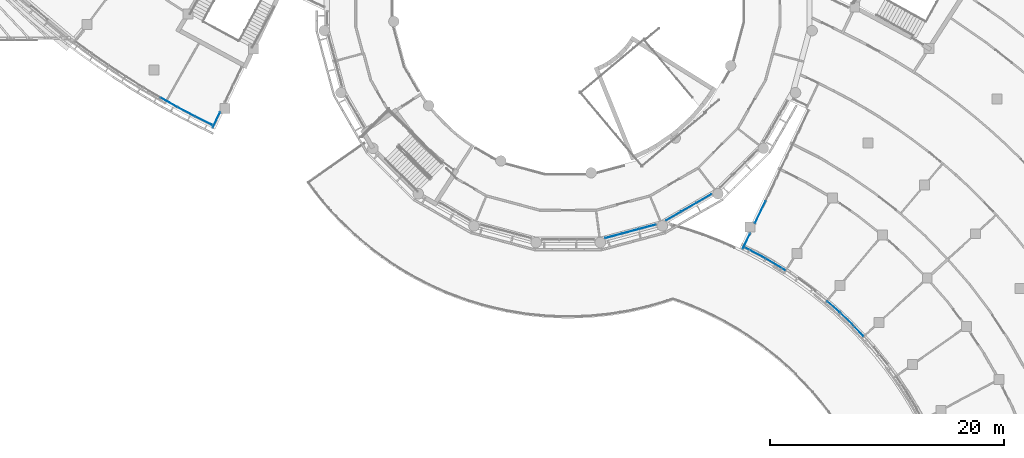
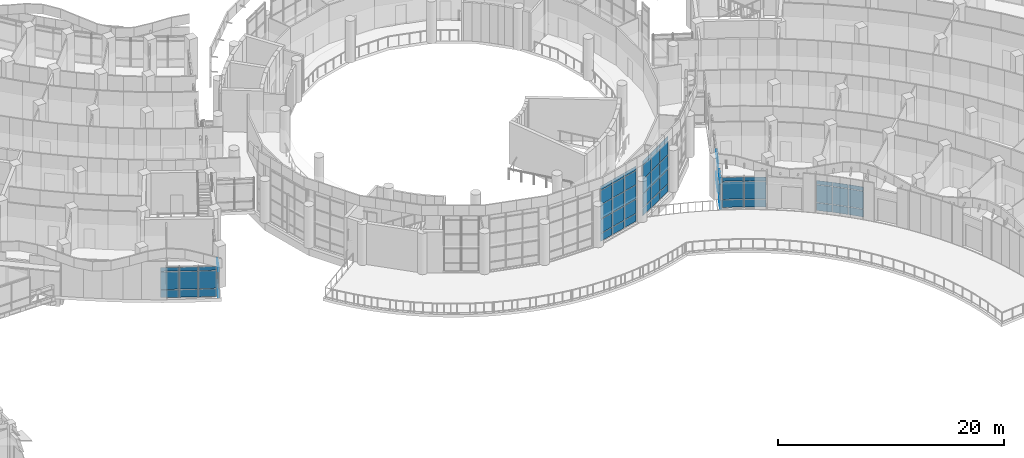
# One storey, part 42 of 136: 63 plates, 8 elements without a shape of their own.
"""IFC4 building model written with IfcOpenShell, lengths in metres."""

from ifc_helpers import new_model, si_unit, direction, frame, origin, origin_2d, place, context, subcontext, project, spatial, rectangle, extrude, material, layer, layer_set, type_object, element, aggregate, save


model = new_model("IFC4")

# Units and contexts
model_context = context("Model", 3, precision=1e-05, world=origin(), true_north=direction((0.0, 1.0)))
body_context = subcontext(model_context, "Body", "Model", "MODEL_VIEW")
ifc_project = project(units=[si_unit("LENGTHUNIT", "METRE"), si_unit("AREAUNIT", "SQUARE_METRE"), si_unit("VOLUMEUNIT", "CUBIC_METRE"), si_unit("PLANEANGLEUNIT", "RADIAN"), si_unit("MASSUNIT", "GRAM", prefix="KILO")], contexts=[model_context])

# Site, building, storey
site_placement = place(None, origin())
site = spatial("IfcSite", under=ifc_project, at=site_placement, CompositionType="ELEMENT")
building_placement = place(site_placement, origin())
building = spatial("IfcBuilding", under=site, at=building_placement, Name="Bougainvillea Quay General Hospital", CompositionType="ELEMENT")
storey_placement = place(building_placement, frame((0.0, 0.0, 5.39990234375)))
storey = spatial("IfcBuildingStorey", under=building, at=storey_placement, Name="L01", CompositionType="ELEMENT", Elevation=5.39990234375)

# Curtain wall, plates
ifc_material_1 = material(Name="Aluminium curtain wall system, powder-coated glazed", Category="aluminium")
curtain_wall_type_1 = type_object("IfcCurtainWallType", Name="Unitised curtain wall CW-2100", PredefinedType="NOTDEFINED", material=ifc_material_1)
curtain_wall_1_placement = place(storey_placement, origin())
curtain_wall_1 = element("IfcCurtainWall", 1, at=curtain_wall_1_placement, inside=storey, type_object=curtain_wall_type_1, Name="CW-W01 a01b0", PredefinedType="NOTDEFINED")
ifc_material_2 = material(Name="Insulated aluminium spandrel panel, white", Category="aluminium")
ifc_layer_1 = layer(ifc_material_2, 0.028076171875)
ifc_layer_set_1 = layer_set([ifc_layer_1], Name="Insulated aluminium spandrel panel, white")
plate_type_1 = type_object("IfcPlateType", Name="Insulated spandrel panel white 28", PredefinedType="CURTAIN_PANEL", material=ifc_layer_set_1)
plate_1_placement = place(storey_placement, frame((78.09912109375, 63.573486328125, 0.06005859375), z_axis=(0.0, 0.0, 1.0), x_axis=(-0.895166761772, 0.445731386172, 0.0)))
plate_1 = element("IfcPlate", 2, at=plate_1_placement, type_object=plate_type_1, Name="CW-W01 spandrel panel 1.1", PredefinedType="CURTAIN_PANEL", context=body_context, shape_type="SweptSolid", body=[
    extrude(rectangle(XDim=1.593994140625, YDim=0.028076171875, at=origin_2d()), origin(), (0.0, 0.0, 1.0), 0.81005859375),
])
plate_2_placement = place(storey_placement, frame((78.09912109375, 63.573486328125, 2.88037109375), z_axis=(0.0, 0.0, 1.0), x_axis=(-0.895166761772, 0.445731386172, 0.0)))
plate_2 = element("IfcPlate", 3, at=plate_2_placement, type_object=plate_type_1, Name="CW-W01 spandrel panel 1.3", PredefinedType="CURTAIN_PANEL", context=body_context, shape_type="SweptSolid", body=[
    extrude(rectangle(XDim=1.593994140625, YDim=0.028076171875, at=origin_2d()), origin(), (0.0, 0.0, 1.0), 0.409912109375),
])
plate_3_placement = place(storey_placement, frame((76.6142578125, 64.33544921875, 0.06005859375), z_axis=(0.0, 0.0, 1.0), x_axis=(-0.88414485514, 0.467212879884, 0.0)))
plate_3 = element("IfcPlate", 4, at=plate_3_placement, type_object=plate_type_1, Name="CW-W01 spandrel panel 2.1", PredefinedType="CURTAIN_PANEL", context=body_context, shape_type="SweptSolid", body=[
    extrude(rectangle(XDim=1.6240234375, YDim=0.028076171875, at=origin_2d()), origin(), (0.0, 0.0, 1.0), 0.81005859375),
])
plate_4_placement = place(storey_placement, frame((76.6142578125, 64.33544921875, 2.88037109375), z_axis=(0.0, 0.0, 1.0), x_axis=(-0.88414485514, 0.467212879884, 0.0)))
plate_4 = element("IfcPlate", 5, at=plate_4_placement, type_object=plate_type_1, Name="CW-W01 spandrel panel 2.3", PredefinedType="CURTAIN_PANEL", context=body_context, shape_type="SweptSolid", body=[
    extrude(rectangle(XDim=1.6240234375, YDim=0.028076171875, at=origin_2d()), origin(), (0.0, 0.0, 1.0), 0.409912109375),
])
plate_5_placement = place(storey_placement, frame((75.135009765625, 65.14013671875, 0.06005859375), z_axis=(0.0, 0.0, 1.0), x_axis=(-0.872607547761, 0.488422017922, 0.0)))
plate_5 = element("IfcPlate", 6, at=plate_5_placement, type_object=plate_type_1, Name="CW-W01 spandrel panel 3.1", PredefinedType="CURTAIN_PANEL", context=body_context, shape_type="SweptSolid", body=[
    extrude(rectangle(XDim=1.6240234375, YDim=0.028076171875, at=origin_2d()), origin(), (0.0, 0.0, 1.0), 0.81005859375),
])
plate_6_placement = place(storey_placement, frame((75.135009765625, 65.14013671875, 2.88037109375), z_axis=(0.0, 0.0, 1.0), x_axis=(-0.872607547761, 0.488422017922, 0.0)))
plate_6 = element("IfcPlate", 7, at=plate_6_placement, type_object=plate_type_1, Name="CW-W01 spandrel panel 3.3", PredefinedType="CURTAIN_PANEL", context=body_context, shape_type="SweptSolid", body=[
    extrude(rectangle(XDim=1.6240234375, YDim=0.028076171875, at=origin_2d()), origin(), (0.0, 0.0, 1.0), 0.409912109375),
])

curtain_wall_type_2 = type_object("IfcCurtainWallType", Name="Unitised curtain wall CW-1555", PredefinedType="NOTDEFINED", material=ifc_material_1)
curtain_wall_2_placement = place(storey_placement, origin())
curtain_wall_2 = element("IfcCurtainWall", 8, at=curtain_wall_2_placement, inside=storey, type_object=curtain_wall_type_2, Name="CW-AE 00", PredefinedType="NOTDEFINED")
plate_7_placement = place(storey_placement, frame((79.173095703125, 63.62841796875, 0.06005859375), z_axis=(0.0, 0.0, 1.0), x_axis=(0.430530445105, 0.902576055431, 0.0)))
plate_7 = element("IfcPlate", 9, at=plate_7_placement, type_object=plate_type_1, Name="CW-AE spandrel panel 1.1", PredefinedType="CURTAIN_PANEL", context=body_context, shape_type="SweptSolid", body=[
    extrude(rectangle(XDim=1.434814453125, YDim=0.028076171875, at=origin_2d()), origin(), (0.0, 0.0, 1.0), 0.81005859375),
])
plate_8_placement = place(storey_placement, frame((79.173095703125, 63.62841796875, 2.88037109375), z_axis=(0.0, 0.0, 1.0), x_axis=(0.430530445105, 0.902576055431, 0.0)))
plate_8 = element("IfcPlate", 10, at=plate_8_placement, type_object=plate_type_1, Name="CW-AE spandrel panel 1.3", PredefinedType="CURTAIN_PANEL", context=body_context, shape_type="SweptSolid", body=[
    extrude(rectangle(XDim=1.434814453125, YDim=0.028076171875, at=origin_2d()), origin(), (0.0, 0.0, 1.0), 0.409912109375),
])

curtain_wall_type_3 = type_object("IfcCurtainWallType", Name="Unitised curtain wall CW-2152", PredefinedType="NOTDEFINED", material=ifc_material_1)
curtain_wall_3_placement = place(storey_placement, origin())
curtain_wall_3 = element("IfcCurtainWall", 11, at=curtain_wall_3_placement, inside=storey, type_object=curtain_wall_type_3, Name="CW-AE 00", PredefinedType="NOTDEFINED")
plate_9_placement = place(storey_placement, frame((125.584716796875, 55.771240234375, 0.06005859375), z_axis=(0.0, 0.0, 1.0), x_axis=(-0.430530445105, -0.902576055431, 0.0)))
plate_9 = element("IfcPlate", 12, at=plate_9_placement, type_object=plate_type_1, Name="CW-AE spandrel panel 5.1", PredefinedType="CURTAIN_PANEL", context=body_context, shape_type="SweptSolid", body=[
    extrude(rectangle(XDim=2.06103515625, YDim=0.028076171875, at=origin_2d()), origin(), (0.0, 0.0, 1.0), 0.81005859375),
])
plate_10_placement = place(storey_placement, frame((125.584716796875, 55.771240234375, 2.88037109375), z_axis=(0.0, 0.0, 1.0), x_axis=(-0.430530445105, -0.902576055431, 0.0)))
plate_10 = element("IfcPlate", 13, at=plate_10_placement, type_object=plate_type_1, Name="CW-AE spandrel panel 5.3", PredefinedType="CURTAIN_PANEL", context=body_context, shape_type="SweptSolid", body=[
    extrude(rectangle(XDim=2.06103515625, YDim=0.028076171875, at=origin_2d()), origin(), (0.0, 0.0, 1.0), 0.409912109375),
])

curtain_wall_4_placement = place(storey_placement, origin())
curtain_wall_4 = element("IfcCurtainWall", 14, at=curtain_wall_4_placement, inside=storey, type_object=curtain_wall_type_2, Name="CW-AE 01", PredefinedType="NOTDEFINED")
plate_11_placement = place(storey_placement, frame((124.3974609375, 53.281982421875, 0.06005859375), z_axis=(0.0, 0.0, 1.0), x_axis=(-0.430530445105, -0.902576055431, 0.0)))
plate_11 = element("IfcPlate", 15, at=plate_11_placement, type_object=plate_type_1, Name="CW-AE spandrel panel 1.1", PredefinedType="CURTAIN_PANEL", context=body_context, shape_type="SweptSolid", body=[
    extrude(rectangle(XDim=1.434814453125, YDim=0.028076171875, at=origin_2d()), origin(), (0.0, 0.0, 1.0), 0.81005859375),
])
plate_12_placement = place(storey_placement, frame((124.3974609375, 53.281982421875, 2.88037109375), z_axis=(0.0, 0.0, 1.0), x_axis=(-0.430530445105, -0.902576055431, 0.0)))
plate_12 = element("IfcPlate", 16, at=plate_12_placement, type_object=plate_type_1, Name="CW-AE spandrel panel 1.3", PredefinedType="CURTAIN_PANEL", context=body_context, shape_type="SweptSolid", body=[
    extrude(rectangle(XDim=1.434814453125, YDim=0.028076171875, at=origin_2d()), origin(), (0.0, 0.0, 1.0), 0.409912109375),
])

curtain_wall_5_placement = place(storey_placement, origin())
curtain_wall_5 = element("IfcCurtainWall", 17, at=curtain_wall_5_placement, inside=storey, type_object=curtain_wall_type_1, Name="CW-E01 a21b0", PredefinedType="NOTDEFINED")
plate_13_placement = place(storey_placement, frame((125.157470703125, 52.28857421875, 0.06005859375), z_axis=(0.0, 0.0, 1.0), x_axis=(0.884928841116, -0.46572625668, 0.0)))
plate_13 = element("IfcPlate", 18, at=plate_13_placement, type_object=plate_type_1, Name="CW-E01 spandrel panel 1.1", PredefinedType="CURTAIN_PANEL", context=body_context, shape_type="SweptSolid", body=[
    extrude(rectangle(XDim=1.924072265625, YDim=0.028076171875, at=origin_2d()), origin(), (0.0, 0.0, 1.0), 0.81005859375),
])
plate_14_placement = place(storey_placement, frame((125.157470703125, 52.28857421875, 2.88037109375), z_axis=(0.0, 0.0, 1.0), x_axis=(0.884928841116, -0.46572625668, 0.0)))
plate_14 = element("IfcPlate", 19, at=plate_14_placement, type_object=plate_type_1, Name="CW-E01 spandrel panel 1.3", PredefinedType="CURTAIN_PANEL", context=body_context, shape_type="SweptSolid", body=[
    extrude(rectangle(XDim=1.924072265625, YDim=0.028076171875, at=origin_2d()), origin(), (0.0, 0.0, 1.0), 0.409912109375),
])
plate_15_placement = place(storey_placement, frame((126.884521484375, 51.313720703125, 0.06005859375), z_axis=(0.0, 0.0, 1.0), x_axis=(0.856022874409, -0.516937944525, 0.0)))
plate_15 = element("IfcPlate", 20, at=plate_15_placement, type_object=plate_type_1, Name="CW-E01 spandrel panel 2.1", PredefinedType="CURTAIN_PANEL", context=body_context, shape_type="SweptSolid", body=[
    extrude(rectangle(XDim=1.924072265625, YDim=0.028076171875, at=origin_2d()), origin(), (0.0, 0.0, 1.0), 0.81005859375),
])
plate_16_placement = place(storey_placement, frame((126.884521484375, 51.313720703125, 2.88037109375), z_axis=(0.0, 0.0, 1.0), x_axis=(0.856022874409, -0.516937944525, 0.0)))
plate_16 = element("IfcPlate", 21, at=plate_16_placement, type_object=plate_type_1, Name="CW-E01 spandrel panel 2.3", PredefinedType="CURTAIN_PANEL", context=body_context, shape_type="SweptSolid", body=[
    extrude(rectangle(XDim=1.924072265625, YDim=0.028076171875, at=origin_2d()), origin(), (0.0, 0.0, 1.0), 0.409912109375),
])

curtain_wall_6_placement = place(storey_placement, origin())
curtain_wall_6 = element("IfcCurtainWall", 22, at=curtain_wall_6_placement, inside=storey, type_object=curtain_wall_type_1, Name="CW-E03 a21b2", PredefinedType="NOTDEFINED")
plate_17_placement = place(storey_placement, frame((131.830322265625, 47.6982421875, 0.06005859375), z_axis=(0.0, 0.0, 1.0), x_axis=(0.750772439283, -0.660560931643, 0.0)))
plate_17 = element("IfcPlate", 23, at=plate_17_placement, type_object=plate_type_1, Name="CW-E03 spandrel panel 1.1", PredefinedType="CURTAIN_PANEL", context=body_context, shape_type="SweptSolid", body=[
    extrude(rectangle(XDim=1.366943359375, YDim=0.028076171875, at=origin_2d()), origin(), (0.0, 0.0, 1.0), 0.81005859375),
])
plate_18_placement = place(storey_placement, frame((131.830322265625, 47.6982421875, 2.88037109375), z_axis=(0.0, 0.0, 1.0), x_axis=(0.750772439283, -0.660560931643, 0.0)))
plate_18 = element("IfcPlate", 24, at=plate_18_placement, type_object=plate_type_1, Name="CW-E03 spandrel panel 1.3", PredefinedType="CURTAIN_PANEL", context=body_context, shape_type="SweptSolid", body=[
    extrude(rectangle(XDim=1.366943359375, YDim=0.028076171875, at=origin_2d()), origin(), (0.0, 0.0, 1.0), 0.409912109375),
])
plate_19_placement = place(storey_placement, frame((132.891845703125, 46.722900390625, 0.06005859375), z_axis=(0.0, 0.0, 1.0), x_axis=(0.722001787667, -0.69189118986, 0.0)))
plate_19 = element("IfcPlate", 25, at=plate_19_placement, type_object=plate_type_1, Name="CW-E03 spandrel panel 2.1", PredefinedType="CURTAIN_PANEL", context=body_context, shape_type="SweptSolid", body=[
    extrude(rectangle(XDim=1.39697265625, YDim=0.028076171875, at=origin_2d()), origin(), (0.0, 0.0, 1.0), 0.81005859375),
])
plate_20_placement = place(storey_placement, frame((132.891845703125, 46.722900390625, 2.88037109375), z_axis=(0.0, 0.0, 1.0), x_axis=(0.722001787667, -0.69189118986, 0.0)))
plate_20 = element("IfcPlate", 26, at=plate_20_placement, type_object=plate_type_1, Name="CW-E03 spandrel panel 2.3", PredefinedType="CURTAIN_PANEL", context=body_context, shape_type="SweptSolid", body=[
    extrude(rectangle(XDim=1.39697265625, YDim=0.028076171875, at=origin_2d()), origin(), (0.0, 0.0, 1.0), 0.409912109375),
])
plate_21_placement = place(storey_placement, frame((133.911376953125, 45.703857421875, 0.06005859375), z_axis=(0.0, 0.0, 1.0), x_axis=(0.691924792604, -0.721969584803, 0.0)))
plate_21 = element("IfcPlate", 27, at=plate_21_placement, type_object=plate_type_1, Name="CW-E03 spandrel panel 3.1", PredefinedType="CURTAIN_PANEL", context=body_context, shape_type="SweptSolid", body=[
    extrude(rectangle(XDim=1.366943359375, YDim=0.028076171875, at=origin_2d()), origin(), (0.0, 0.0, 1.0), 0.81005859375),
])
plate_22_placement = place(storey_placement, frame((133.911376953125, 45.703857421875, 2.88037109375), z_axis=(0.0, 0.0, 1.0), x_axis=(0.691924792604, -0.721969584803, 0.0)))
plate_22 = element("IfcPlate", 28, at=plate_22_placement, type_object=plate_type_1, Name="CW-E03 spandrel panel 3.3", PredefinedType="CURTAIN_PANEL", context=body_context, shape_type="SweptSolid", body=[
    extrude(rectangle(XDim=1.366943359375, YDim=0.028076171875, at=origin_2d()), origin(), (0.0, 0.0, 1.0), 0.409912109375),
])

curtain_wall_type_4 = type_object("IfcCurtainWallType", Name="Unitised curtain wall CW-1514", PredefinedType="NOTDEFINED", material=ifc_material_1)
curtain_wall_7_placement = place(storey_placement, origin())
curtain_wall_7 = element("IfcCurtainWall", 29, at=curtain_wall_7_placement, inside=storey, type_object=curtain_wall_type_4, Name="CW-D 00", PredefinedType="NOTDEFINED")
plate_23_placement = place(storey_placement, frame((113.075927734375, 53.742919921875, 0.06005859375), z_axis=(0.0, 0.0, 1.0), x_axis=(0.965916292974, 0.258854621298, 0.0)))
plate_23 = element("IfcPlate", 30, at=plate_23_placement, type_object=plate_type_1, Name="CW-D spandrel panel 1.1", PredefinedType="CURTAIN_PANEL", context=body_context, shape_type="SweptSolid", body=[
    extrude(rectangle(XDim=1.423828125, YDim=0.028076171875, at=origin_2d()), origin(), (0.0, 0.0, 1.0), 0.81005859375),
])
plate_24_placement = place(storey_placement, frame((113.075927734375, 53.742919921875, 5.580078125), z_axis=(0.0, 0.0, 1.0), x_axis=(0.965916292974, 0.258854621298, 0.0)))
plate_24 = element("IfcPlate", 31, at=plate_24_placement, type_object=plate_type_1, Name="CW-D spandrel panel 1.5", PredefinedType="CURTAIN_PANEL", context=body_context, shape_type="SweptSolid", body=[
    extrude(rectangle(XDim=1.423828125, YDim=0.028076171875, at=origin_2d()), origin(), (0.0, 0.0, 1.0), 0.409912109375),
])
plate_25_placement = place(storey_placement, frame((114.523681640625, 54.130859375, 0.06005859375), z_axis=(0.0, 0.0, 1.0), x_axis=(0.965916292974, 0.258854621298, 0.0)))
plate_25 = element("IfcPlate", 32, at=plate_25_placement, type_object=plate_type_1, Name="CW-D spandrel panel 2.1", PredefinedType="CURTAIN_PANEL", context=body_context, shape_type="SweptSolid", body=[
    extrude(rectangle(XDim=1.453857421875, YDim=0.028076171875, at=origin_2d()), origin(), (0.0, 0.0, 1.0), 0.81005859375),
])
plate_26_placement = place(storey_placement, frame((114.523681640625, 54.130859375, 5.580078125), z_axis=(0.0, 0.0, 1.0), x_axis=(0.965916292974, 0.258854621298, 0.0)))
plate_26 = element("IfcPlate", 33, at=plate_26_placement, type_object=plate_type_1, Name="CW-D spandrel panel 2.5", PredefinedType="CURTAIN_PANEL", context=body_context, shape_type="SweptSolid", body=[
    extrude(rectangle(XDim=1.453857421875, YDim=0.028076171875, at=origin_2d()), origin(), (0.0, 0.0, 1.0), 0.409912109375),
])
plate_27_placement = place(storey_placement, frame((115.9716796875, 54.51904296875, 0.06005859375), z_axis=(0.0, 0.0, 1.0), x_axis=(0.965916292974, 0.258854621298, 0.0)))
plate_27 = element("IfcPlate", 34, at=plate_27_placement, type_object=plate_type_1, Name="CW-D spandrel panel 3.1", PredefinedType="CURTAIN_PANEL", context=body_context, shape_type="SweptSolid", body=[
    extrude(rectangle(XDim=1.423828125, YDim=0.028076171875, at=origin_2d()), origin(), (0.0, 0.0, 1.0), 0.81005859375),
])
plate_28_placement = place(storey_placement, frame((115.9716796875, 54.51904296875, 5.580078125), z_axis=(0.0, 0.0, 1.0), x_axis=(0.965916292974, 0.258854621298, 0.0)))
plate_28 = element("IfcPlate", 35, at=plate_28_placement, type_object=plate_type_1, Name="CW-D spandrel panel 3.5", PredefinedType="CURTAIN_PANEL", context=body_context, shape_type="SweptSolid", body=[
    extrude(rectangle(XDim=1.423828125, YDim=0.028076171875, at=origin_2d()), origin(), (0.0, 0.0, 1.0), 0.409912109375),
])

curtain_wall_type_5 = type_object("IfcCurtainWallType", Name="Unitised curtain wall CW-1515", PredefinedType="NOTDEFINED", material=ifc_material_1)
curtain_wall_8_placement = place(storey_placement, origin())
curtain_wall_8 = element("IfcCurtainWall", 36, at=curtain_wall_8_placement, inside=storey, type_object=curtain_wall_type_5, Name="CW-D 00", PredefinedType="NOTDEFINED")
plate_29_placement = place(storey_placement, frame((118.186767578125, 55.4365234375, 0.06005859375), z_axis=(0.0, 0.0, 1.0), x_axis=(0.866045865692, 0.499964557262, 0.0)))
plate_29 = element("IfcPlate", 37, at=plate_29_placement, type_object=plate_type_1, Name="CW-D spandrel panel 1.1", PredefinedType="CURTAIN_PANEL", context=body_context, shape_type="SweptSolid", body=[
    extrude(rectangle(XDim=1.424072265625, YDim=0.028076171875, at=origin_2d()), origin(), (0.0, 0.0, 1.0), 0.81005859375),
])
plate_30_placement = place(storey_placement, frame((118.186767578125, 55.4365234375, 5.580078125), z_axis=(0.0, 0.0, 1.0), x_axis=(0.866045865692, 0.499964557262, 0.0)))
plate_30 = element("IfcPlate", 38, at=plate_30_placement, type_object=plate_type_1, Name="CW-D spandrel panel 1.5", PredefinedType="CURTAIN_PANEL", context=body_context, shape_type="SweptSolid", body=[
    extrude(rectangle(XDim=1.424072265625, YDim=0.028076171875, at=origin_2d()), origin(), (0.0, 0.0, 1.0), 0.409912109375),
])
plate_31_placement = place(storey_placement, frame((119.485107421875, 56.18603515625, 0.06005859375), z_axis=(0.0, 0.0, 1.0), x_axis=(0.866045865692, 0.499964557262, 0.0)))
plate_31 = element("IfcPlate", 39, at=plate_31_placement, type_object=plate_type_1, Name="CW-D spandrel panel 2.1", PredefinedType="CURTAIN_PANEL", context=body_context, shape_type="SweptSolid", body=[
    extrude(rectangle(XDim=1.4541015625, YDim=0.028076171875, at=origin_2d()), origin(), (0.0, 0.0, 1.0), 0.81005859375),
])
plate_32_placement = place(storey_placement, frame((119.485107421875, 56.18603515625, 5.580078125), z_axis=(0.0, 0.0, 1.0), x_axis=(0.866045865692, 0.499964557262, 0.0)))
plate_32 = element("IfcPlate", 40, at=plate_32_placement, type_object=plate_type_1, Name="CW-D spandrel panel 2.5", PredefinedType="CURTAIN_PANEL", context=body_context, shape_type="SweptSolid", body=[
    extrude(rectangle(XDim=1.4541015625, YDim=0.028076171875, at=origin_2d()), origin(), (0.0, 0.0, 1.0), 0.409912109375),
])
plate_33_placement = place(storey_placement, frame((120.783203125, 56.935546875, 0.06005859375), z_axis=(0.0, 0.0, 1.0), x_axis=(0.866045865692, 0.499964557262, 0.0)))
plate_33 = element("IfcPlate", 41, at=plate_33_placement, type_object=plate_type_1, Name="CW-D spandrel panel 3.1", PredefinedType="CURTAIN_PANEL", context=body_context, shape_type="SweptSolid", body=[
    extrude(rectangle(XDim=1.424072265625, YDim=0.028076171875, at=origin_2d()), origin(), (0.0, 0.0, 1.0), 0.81005859375),
])
plate_34_placement = place(storey_placement, frame((120.783203125, 56.935546875, 5.580078125), z_axis=(0.0, 0.0, 1.0), x_axis=(0.866045865692, 0.499964557262, 0.0)))
plate_34 = element("IfcPlate", 42, at=plate_34_placement, type_object=plate_type_1, Name="CW-D spandrel panel 3.5", PredefinedType="CURTAIN_PANEL", context=body_context, shape_type="SweptSolid", body=[
    extrude(rectangle(XDim=1.424072265625, YDim=0.028076171875, at=origin_2d()), origin(), (0.0, 0.0, 1.0), 0.409912109375),
])

# Plate
ifc_material_3 = material(Name="Low-e laminated glass, solar control", Category="glass")
ifc_layer_2 = layer(ifc_material_3, 0.028076171875)
ifc_layer_set_2 = layer_set([ifc_layer_2], Name="Low-e laminated glass, solar control")
plate_type_2 = type_object("IfcPlateType", Name="Low-e laminated vision glass 28", PredefinedType="CURTAIN_PANEL", material=ifc_layer_set_2)
plate_35_placement = place(storey_placement, frame((78.09912109375, 63.573486328125, 0.93017578125), z_axis=(0.0, 0.0, 1.0), x_axis=(-0.895166761772, 0.445731386172, 0.0)))
plate_35 = element("IfcPlate", 43, at=plate_35_placement, type_object=plate_type_2, Name="CW-W01 vision glass panel 1.2", PredefinedType="CURTAIN_PANEL", context=body_context, shape_type="SweptSolid", body=[
    extrude(rectangle(XDim=1.593994140625, YDim=0.028076171875, at=origin_2d()), origin(), (0.0, 0.0, 1.0), 1.889892578125),
])

plate_36_placement = place(storey_placement, frame((76.6142578125, 64.33544921875, 0.93017578125), z_axis=(0.0, 0.0, 1.0), x_axis=(-0.88414485514, 0.467212879884, 0.0)))
plate_36 = element("IfcPlate", 44, at=plate_36_placement, type_object=plate_type_2, Name="CW-W01 vision glass panel 2.2", PredefinedType="CURTAIN_PANEL", context=body_context, shape_type="SweptSolid", body=[
    extrude(rectangle(XDim=1.6240234375, YDim=0.028076171875, at=origin_2d()), origin(), (0.0, 0.0, 1.0), 1.889892578125),
])

plate_37_placement = place(storey_placement, frame((75.135009765625, 65.14013671875, 0.93017578125), z_axis=(0.0, 0.0, 1.0), x_axis=(-0.872607547761, 0.488422017922, 0.0)))
plate_37 = element("IfcPlate", 45, at=plate_37_placement, type_object=plate_type_2, Name="CW-W01 vision glass panel 3.2", PredefinedType="CURTAIN_PANEL", context=body_context, shape_type="SweptSolid", body=[
    extrude(rectangle(XDim=1.6240234375, YDim=0.028076171875, at=origin_2d()), origin(), (0.0, 0.0, 1.0), 1.889892578125),
])

aggregate(curtain_wall_1, [plate_1, plate_35, plate_2, plate_3, plate_36, plate_4, plate_5, plate_37, plate_6])

plate_38_placement = place(storey_placement, frame((79.173095703125, 63.62841796875, 0.93017578125), z_axis=(0.0, 0.0, 1.0), x_axis=(0.430530445105, 0.902576055431, 0.0)))
plate_38 = element("IfcPlate", 46, at=plate_38_placement, type_object=plate_type_2, Name="CW-AE vision glass panel 1.2", PredefinedType="CURTAIN_PANEL", context=body_context, shape_type="SweptSolid", body=[
    extrude(rectangle(XDim=1.434814453125, YDim=0.028076171875, at=origin_2d()), origin(), (0.0, 0.0, 1.0), 1.889892578125),
])

aggregate(curtain_wall_2, [plate_7, plate_38, plate_8])

plate_39_placement = place(storey_placement, frame((125.584716796875, 55.771240234375, 0.93017578125), z_axis=(0.0, 0.0, 1.0), x_axis=(-0.430530445105, -0.902576055431, 0.0)))
plate_39 = element("IfcPlate", 47, at=plate_39_placement, type_object=plate_type_2, Name="CW-AE vision glass panel 5.2", PredefinedType="CURTAIN_PANEL", context=body_context, shape_type="SweptSolid", body=[
    extrude(rectangle(XDim=2.06103515625, YDim=0.028076171875, at=origin_2d()), origin(), (0.0, 0.0, 1.0), 1.889892578125),
])

aggregate(curtain_wall_3, [plate_9, plate_39, plate_10])

plate_40_placement = place(storey_placement, frame((124.3974609375, 53.281982421875, 0.93017578125), z_axis=(0.0, 0.0, 1.0), x_axis=(-0.430530445105, -0.902576055431, 0.0)))
plate_40 = element("IfcPlate", 48, at=plate_40_placement, type_object=plate_type_2, Name="CW-AE vision glass panel 1.2", PredefinedType="CURTAIN_PANEL", context=body_context, shape_type="SweptSolid", body=[
    extrude(rectangle(XDim=1.434814453125, YDim=0.028076171875, at=origin_2d()), origin(), (0.0, 0.0, 1.0), 1.889892578125),
])

aggregate(curtain_wall_4, [plate_11, plate_40, plate_12])

plate_41_placement = place(storey_placement, frame((125.157470703125, 52.28857421875, 0.93017578125), z_axis=(0.0, 0.0, 1.0), x_axis=(0.884928841116, -0.46572625668, 0.0)))
plate_41 = element("IfcPlate", 49, at=plate_41_placement, type_object=plate_type_2, Name="CW-E01 vision glass panel 1.2", PredefinedType="CURTAIN_PANEL", context=body_context, shape_type="SweptSolid", body=[
    extrude(rectangle(XDim=1.924072265625, YDim=0.028076171875, at=origin_2d()), origin(), (0.0, 0.0, 1.0), 1.889892578125),
])

plate_42_placement = place(storey_placement, frame((126.884521484375, 51.313720703125, 0.93017578125), z_axis=(0.0, 0.0, 1.0), x_axis=(0.856022874409, -0.516937944525, 0.0)))
plate_42 = element("IfcPlate", 50, at=plate_42_placement, type_object=plate_type_2, Name="CW-E01 vision glass panel 2.2", PredefinedType="CURTAIN_PANEL", context=body_context, shape_type="SweptSolid", body=[
    extrude(rectangle(XDim=1.924072265625, YDim=0.028076171875, at=origin_2d()), origin(), (0.0, 0.0, 1.0), 1.889892578125),
])

aggregate(curtain_wall_5, [plate_13, plate_41, plate_14, plate_15, plate_42, plate_16])

plate_43_placement = place(storey_placement, frame((131.830322265625, 47.6982421875, 0.93017578125), z_axis=(0.0, 0.0, 1.0), x_axis=(0.750772439283, -0.660560931643, 0.0)))
plate_43 = element("IfcPlate", 51, at=plate_43_placement, type_object=plate_type_2, Name="CW-E03 vision glass panel 1.2", PredefinedType="CURTAIN_PANEL", context=body_context, shape_type="SweptSolid", body=[
    extrude(rectangle(XDim=1.366943359375, YDim=0.028076171875, at=origin_2d()), origin(), (0.0, 0.0, 1.0), 1.889892578125),
])

plate_44_placement = place(storey_placement, frame((132.891845703125, 46.722900390625, 0.93017578125), z_axis=(0.0, 0.0, 1.0), x_axis=(0.722001787667, -0.69189118986, 0.0)))
plate_44 = element("IfcPlate", 52, at=plate_44_placement, type_object=plate_type_2, Name="CW-E03 vision glass panel 2.2", PredefinedType="CURTAIN_PANEL", context=body_context, shape_type="SweptSolid", body=[
    extrude(rectangle(XDim=1.39697265625, YDim=0.028076171875, at=origin_2d()), origin(), (0.0, 0.0, 1.0), 1.889892578125),
])

plate_45_placement = place(storey_placement, frame((133.911376953125, 45.703857421875, 0.93017578125), z_axis=(0.0, 0.0, 1.0), x_axis=(0.691924792604, -0.721969584803, 0.0)))
plate_45 = element("IfcPlate", 53, at=plate_45_placement, type_object=plate_type_2, Name="CW-E03 vision glass panel 3.2", PredefinedType="CURTAIN_PANEL", context=body_context, shape_type="SweptSolid", body=[
    extrude(rectangle(XDim=1.366943359375, YDim=0.028076171875, at=origin_2d()), origin(), (0.0, 0.0, 1.0), 1.889892578125),
])

aggregate(curtain_wall_6, [plate_17, plate_43, plate_18, plate_19, plate_44, plate_20, plate_21, plate_45, plate_22])

plate_46_placement = place(storey_placement, frame((113.075927734375, 53.742919921875, 0.93017578125), z_axis=(0.0, 0.0, 1.0), x_axis=(0.965916292974, 0.258854621298, 0.0)))
plate_46 = element("IfcPlate", 54, at=plate_46_placement, type_object=plate_type_2, Name="CW-D vision glass panel 1.2", PredefinedType="CURTAIN_PANEL", context=body_context, shape_type="SweptSolid", body=[
    extrude(rectangle(XDim=1.423828125, YDim=0.028076171875, at=origin_2d()), origin(), (0.0, 0.0, 1.0), 1.489990234375),
])

plate_47_placement = place(storey_placement, frame((113.075927734375, 53.742919921875, 2.47998046875), z_axis=(0.0, 0.0, 1.0), x_axis=(0.965916292974, 0.258854621298, 0.0)))
plate_47 = element("IfcPlate", 55, at=plate_47_placement, type_object=plate_type_2, Name="CW-D vision glass panel 1.3", PredefinedType="CURTAIN_PANEL", context=body_context, shape_type="SweptSolid", body=[
    extrude(rectangle(XDim=1.423828125, YDim=0.028076171875, at=origin_2d()), origin(), (0.0, 0.0, 1.0), 1.489990234375),
])

plate_48_placement = place(storey_placement, frame((113.075927734375, 53.742919921875, 4.0302734375), z_axis=(0.0, 0.0, 1.0), x_axis=(0.965916292974, 0.258854621298, 0.0)))
plate_48 = element("IfcPlate", 56, at=plate_48_placement, type_object=plate_type_2, Name="CW-D vision glass panel 1.4", PredefinedType="CURTAIN_PANEL", context=body_context, shape_type="SweptSolid", body=[
    extrude(rectangle(XDim=1.423828125, YDim=0.028076171875, at=origin_2d()), origin(), (0.0, 0.0, 1.0), 1.489990234375),
])

plate_49_placement = place(storey_placement, frame((114.523681640625, 54.130859375, 0.93017578125), z_axis=(0.0, 0.0, 1.0), x_axis=(0.965916292974, 0.258854621298, 0.0)))
plate_49 = element("IfcPlate", 57, at=plate_49_placement, type_object=plate_type_2, Name="CW-D vision glass panel 2.2", PredefinedType="CURTAIN_PANEL", context=body_context, shape_type="SweptSolid", body=[
    extrude(rectangle(XDim=1.453857421875, YDim=0.028076171875, at=origin_2d()), origin(), (0.0, 0.0, 1.0), 1.489990234375),
])

plate_50_placement = place(storey_placement, frame((114.523681640625, 54.130859375, 2.47998046875), z_axis=(0.0, 0.0, 1.0), x_axis=(0.965916292974, 0.258854621298, 0.0)))
plate_50 = element("IfcPlate", 58, at=plate_50_placement, type_object=plate_type_2, Name="CW-D vision glass panel 2.3", PredefinedType="CURTAIN_PANEL", context=body_context, shape_type="SweptSolid", body=[
    extrude(rectangle(XDim=1.453857421875, YDim=0.028076171875, at=origin_2d()), origin(), (0.0, 0.0, 1.0), 1.489990234375),
])

plate_51_placement = place(storey_placement, frame((114.523681640625, 54.130859375, 4.0302734375), z_axis=(0.0, 0.0, 1.0), x_axis=(0.965916292974, 0.258854621298, 0.0)))
plate_51 = element("IfcPlate", 59, at=plate_51_placement, type_object=plate_type_2, Name="CW-D vision glass panel 2.4", PredefinedType="CURTAIN_PANEL", context=body_context, shape_type="SweptSolid", body=[
    extrude(rectangle(XDim=1.453857421875, YDim=0.028076171875, at=origin_2d()), origin(), (0.0, 0.0, 1.0), 1.489990234375),
])

plate_52_placement = place(storey_placement, frame((115.9716796875, 54.51904296875, 0.93017578125), z_axis=(0.0, 0.0, 1.0), x_axis=(0.965916292974, 0.258854621298, 0.0)))
plate_52 = element("IfcPlate", 60, at=plate_52_placement, type_object=plate_type_2, Name="CW-D vision glass panel 3.2", PredefinedType="CURTAIN_PANEL", context=body_context, shape_type="SweptSolid", body=[
    extrude(rectangle(XDim=1.423828125, YDim=0.028076171875, at=origin_2d()), origin(), (0.0, 0.0, 1.0), 1.489990234375),
])

plate_53_placement = place(storey_placement, frame((115.9716796875, 54.51904296875, 2.47998046875), z_axis=(0.0, 0.0, 1.0), x_axis=(0.965916292974, 0.258854621298, 0.0)))
plate_53 = element("IfcPlate", 61, at=plate_53_placement, type_object=plate_type_2, Name="CW-D vision glass panel 3.3", PredefinedType="CURTAIN_PANEL", context=body_context, shape_type="SweptSolid", body=[
    extrude(rectangle(XDim=1.423828125, YDim=0.028076171875, at=origin_2d()), origin(), (0.0, 0.0, 1.0), 1.489990234375),
])

plate_54_placement = place(storey_placement, frame((115.9716796875, 54.51904296875, 4.0302734375), z_axis=(0.0, 0.0, 1.0), x_axis=(0.965916292974, 0.258854621298, 0.0)))
plate_54 = element("IfcPlate", 62, at=plate_54_placement, type_object=plate_type_2, Name="CW-D vision glass panel 3.4", PredefinedType="CURTAIN_PANEL", context=body_context, shape_type="SweptSolid", body=[
    extrude(rectangle(XDim=1.423828125, YDim=0.028076171875, at=origin_2d()), origin(), (0.0, 0.0, 1.0), 1.489990234375),
])

aggregate(curtain_wall_7, [plate_23, plate_46, plate_47, plate_48, plate_24, plate_25, plate_49, plate_50, plate_51, plate_26, plate_27, plate_52, plate_53, plate_54, plate_28])

plate_55_placement = place(storey_placement, frame((118.186767578125, 55.4365234375, 0.93017578125), z_axis=(0.0, 0.0, 1.0), x_axis=(0.866045865692, 0.499964557262, 0.0)))
plate_55 = element("IfcPlate", 63, at=plate_55_placement, type_object=plate_type_2, Name="CW-D vision glass panel 1.2", PredefinedType="CURTAIN_PANEL", context=body_context, shape_type="SweptSolid", body=[
    extrude(rectangle(XDim=1.424072265625, YDim=0.028076171875, at=origin_2d()), origin(), (0.0, 0.0, 1.0), 1.489990234375),
])

plate_56_placement = place(storey_placement, frame((118.186767578125, 55.4365234375, 2.47998046875), z_axis=(0.0, 0.0, 1.0), x_axis=(0.866045865692, 0.499964557262, 0.0)))
plate_56 = element("IfcPlate", 64, at=plate_56_placement, type_object=plate_type_2, Name="CW-D vision glass panel 1.3", PredefinedType="CURTAIN_PANEL", context=body_context, shape_type="SweptSolid", body=[
    extrude(rectangle(XDim=1.424072265625, YDim=0.028076171875, at=origin_2d()), origin(), (0.0, 0.0, 1.0), 1.489990234375),
])

plate_57_placement = place(storey_placement, frame((118.186767578125, 55.4365234375, 4.0302734375), z_axis=(0.0, 0.0, 1.0), x_axis=(0.866045865692, 0.499964557262, 0.0)))
plate_57 = element("IfcPlate", 65, at=plate_57_placement, type_object=plate_type_2, Name="CW-D vision glass panel 1.4", PredefinedType="CURTAIN_PANEL", context=body_context, shape_type="SweptSolid", body=[
    extrude(rectangle(XDim=1.424072265625, YDim=0.028076171875, at=origin_2d()), origin(), (0.0, 0.0, 1.0), 1.489990234375),
])

plate_58_placement = place(storey_placement, frame((119.485107421875, 56.18603515625, 0.93017578125), z_axis=(0.0, 0.0, 1.0), x_axis=(0.866045865692, 0.499964557262, 0.0)))
plate_58 = element("IfcPlate", 66, at=plate_58_placement, type_object=plate_type_2, Name="CW-D vision glass panel 2.2", PredefinedType="CURTAIN_PANEL", context=body_context, shape_type="SweptSolid", body=[
    extrude(rectangle(XDim=1.4541015625, YDim=0.028076171875, at=origin_2d()), origin(), (0.0, 0.0, 1.0), 1.489990234375),
])

plate_59_placement = place(storey_placement, frame((119.485107421875, 56.18603515625, 2.47998046875), z_axis=(0.0, 0.0, 1.0), x_axis=(0.866045865692, 0.499964557262, 0.0)))
plate_59 = element("IfcPlate", 67, at=plate_59_placement, type_object=plate_type_2, Name="CW-D vision glass panel 2.3", PredefinedType="CURTAIN_PANEL", context=body_context, shape_type="SweptSolid", body=[
    extrude(rectangle(XDim=1.4541015625, YDim=0.028076171875, at=origin_2d()), origin(), (0.0, 0.0, 1.0), 1.489990234375),
])

plate_60_placement = place(storey_placement, frame((119.485107421875, 56.18603515625, 4.0302734375), z_axis=(0.0, 0.0, 1.0), x_axis=(0.866045865692, 0.499964557262, 0.0)))
plate_60 = element("IfcPlate", 68, at=plate_60_placement, type_object=plate_type_2, Name="CW-D vision glass panel 2.4", PredefinedType="CURTAIN_PANEL", context=body_context, shape_type="SweptSolid", body=[
    extrude(rectangle(XDim=1.4541015625, YDim=0.028076171875, at=origin_2d()), origin(), (0.0, 0.0, 1.0), 1.489990234375),
])

plate_61_placement = place(storey_placement, frame((120.783203125, 56.935546875, 0.93017578125), z_axis=(0.0, 0.0, 1.0), x_axis=(0.866045865692, 0.499964557262, 0.0)))
plate_61 = element("IfcPlate", 69, at=plate_61_placement, type_object=plate_type_2, Name="CW-D vision glass panel 3.2", PredefinedType="CURTAIN_PANEL", context=body_context, shape_type="SweptSolid", body=[
    extrude(rectangle(XDim=1.424072265625, YDim=0.028076171875, at=origin_2d()), origin(), (0.0, 0.0, 1.0), 1.489990234375),
])

plate_62_placement = place(storey_placement, frame((120.783203125, 56.935546875, 2.47998046875), z_axis=(0.0, 0.0, 1.0), x_axis=(0.866045865692, 0.499964557262, 0.0)))
plate_62 = element("IfcPlate", 70, at=plate_62_placement, type_object=plate_type_2, Name="CW-D vision glass panel 3.3", PredefinedType="CURTAIN_PANEL", context=body_context, shape_type="SweptSolid", body=[
    extrude(rectangle(XDim=1.424072265625, YDim=0.028076171875, at=origin_2d()), origin(), (0.0, 0.0, 1.0), 1.489990234375),
])

plate_63_placement = place(storey_placement, frame((120.783203125, 56.935546875, 4.0302734375), z_axis=(0.0, 0.0, 1.0), x_axis=(0.866045865692, 0.499964557262, 0.0)))
plate_63 = element("IfcPlate", 71, at=plate_63_placement, type_object=plate_type_2, Name="CW-D vision glass panel 3.4", PredefinedType="CURTAIN_PANEL", context=body_context, shape_type="SweptSolid", body=[
    extrude(rectangle(XDim=1.424072265625, YDim=0.028076171875, at=origin_2d()), origin(), (0.0, 0.0, 1.0), 1.489990234375),
])

aggregate(curtain_wall_8, [plate_29, plate_55, plate_56, plate_57, plate_30, plate_31, plate_58, plate_59, plate_60, plate_32, plate_33, plate_61, plate_62, plate_63, plate_34])

save(model, "model.ifc")
